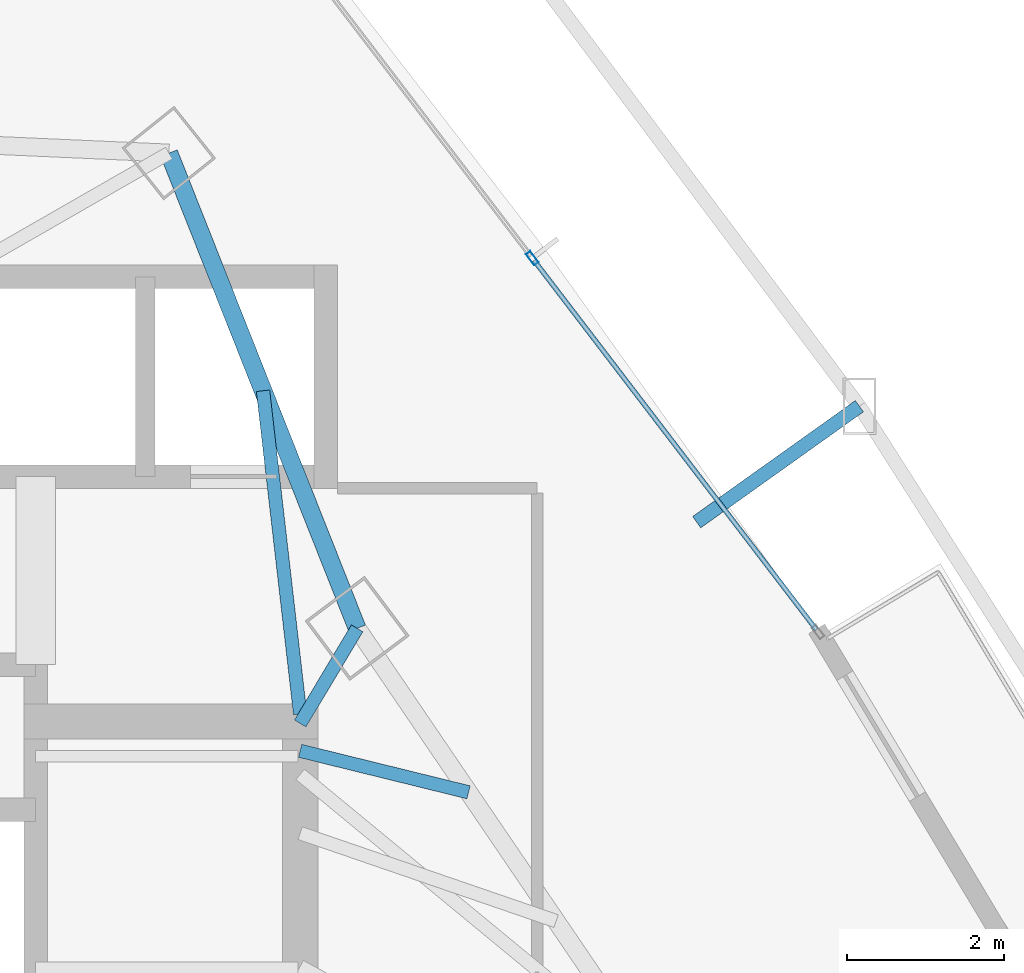
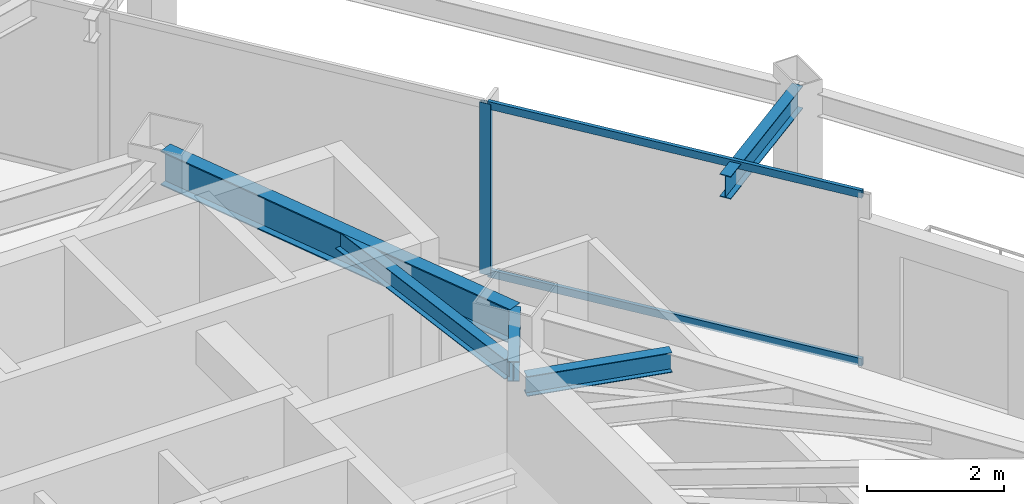
# One storey, part 24 of 33: 5 beams, 3 members, 1 element without a shape of its own.
"""IFC4 building model written with IfcOpenShell, lengths in metres."""

from ifc_helpers import new_model, si_unit, direction, frame, origin, origin_2d, place, context, subcontext, project, spatial, hollow_rectangle, i_section, extrude, material, layer, layer_set, material_profile, profile_set, type_object, element, aggregate, save


model = new_model("IFC4")

# Units and contexts
model_context = context("Model", 3, precision=1e-05, world=origin(), true_north=direction((0.0, 1.0)))
body_context = subcontext(model_context, "Body", "Model", "MODEL_VIEW")
ifc_project = project(units=[si_unit("LENGTHUNIT", "METRE"), si_unit("AREAUNIT", "SQUARE_METRE"), si_unit("VOLUMEUNIT", "CUBIC_METRE"), si_unit("PLANEANGLEUNIT", "RADIAN"), si_unit("MASSUNIT", "GRAM", prefix="KILO")], contexts=[model_context])

# Site, building, storey
site_placement = place(None, origin())
site = spatial("IfcSite", under=ifc_project, at=site_placement, CompositionType="ELEMENT")
building_placement = place(site_placement, origin())
building = spatial("IfcBuilding", under=site, at=building_placement, Name="Orvanel Arch Residences", CompositionType="ELEMENT")
storey_placement = place(building_placement, frame((0.0, 0.0, 90.64990234375)))
storey = spatial("IfcBuildingStorey", under=building, at=storey_placement, Name="L25", CompositionType="ELEMENT", Elevation=90.64990234375)

# Beams
ifc_material_1 = material(Name="Structural steel AS/NZS 3679.1 Grade 300 (300 MPa)", Category="steel")
ifc_material_profile_1 = material_profile(ifc_material_1, i_section(OverallWidth=0.1708984375, OverallDepth=0.35595703125, WebThickness=0.00732421875, FlangeThickness=0.011474609375, at=origin_2d()), Name="360UB50.7")
ifc_profile_set_1 = profile_set([ifc_material_profile_1], Name="Structural steel AS/NZS 3679.1 Grade 300 (300 MPa)")
beam_type_1 = type_object("IfcBeamType", Name="BJ-360UB", PredefinedType="JOIST", material=ifc_profile_set_1)
beam_1_placement = place(storey_placement, frame((39.625, 33.89990234375, 2.882080078125), z_axis=(0.514064138778, 0.857751748015, 0.0), x_axis=(-0.857751748015, 0.514064138778, 0.0)))
element("IfcBeam", 1, at=beam_1_placement, inside=storey, type_object=beam_type_1, Name="L25 NNE Wing Floor Joist", PredefinedType="JOIST", context=body_context, shape_type="SweptSolid", body=[
    extrude(i_section(OverallWidth=0.1708984375, OverallDepth=0.35595703125, WebThickness=0.00732421875, FlangeThickness=0.011474609375, at=origin_2d()), origin(), (0.0, 0.0, 1.0), 1.414306640625),
])
beam_2_placement = place(storey_placement, frame((39.625, 34.02001953125, 2.882080078125), z_axis=(-0.114186670431, 0.993459311847, 0.0), x_axis=(-0.993459311847, -0.114186670431, 0.0)))
element("IfcBeam", 2, at=beam_2_placement, inside=storey, type_object=beam_type_1, Name="L25 NNE2 Wing Floor Joist", PredefinedType="JOIST", context=body_context, shape_type="SweptSolid", body=[
    extrude(i_section(OverallWidth=0.1708984375, OverallDepth=0.35595703125, WebThickness=0.00732421875, FlangeThickness=0.011474609375, at=origin_2d()), origin(), (0.0, 0.0, 1.0), 4.152099609375),
])
beam_3_placement = place(storey_placement, frame((39.625, 33.550048828125, 2.882080078125), z_axis=(0.971005818547, -0.239055851942, 0.0), x_axis=(0.239055851942, 0.971005818547, 0.0)))
element("IfcBeam", 3, at=beam_3_placement, inside=storey, type_object=beam_type_1, Name="L25 JADD4 Wing Floor Joist", PredefinedType="JOIST", context=body_context, shape_type="SweptSolid", body=[
    extrude(i_section(OverallWidth=0.1708984375, OverallDepth=0.35595703125, WebThickness=0.00732421875, FlangeThickness=0.011474609375, at=origin_2d()), origin(), (0.0, 0.0, 1.0), 2.213134765625),
])

# Curtain wall, member
ifc_material_2 = material(Name="Bronze-anodised aluminium AA6063-T6", Category="aluminium")
ifc_layer = layer(ifc_material_2, 0.179931640625)
ifc_layer_set = layer_set([ifc_layer], Name="Bronze-anodised aluminium AA6063-T6")
curtain_wall_type = type_object("IfcCurtainWallType", Name="CW2-LOW-SYS", PredefinedType="NOTDEFINED", material=ifc_layer_set)
curtain_wall_placement = place(storey_placement, origin())
curtain_wall = element("IfcCurtainWall", 4, at=curtain_wall_placement, inside=storey, type_object=curtain_wall_type, Name="L25 CW2-LOW-SYS Unitised Curtain Wall", PredefinedType="NOTDEFINED")
ifc_material_profile_2 = material_profile(ifc_material_2, hollow_rectangle(XDim=0.070068359375, YDim=0.179931640625, WallThickness=0.00439453125, at=origin_2d()), Name="ALU180x70x4.5")
ifc_profile_set_2 = profile_set([ifc_material_profile_2], Name="Bronze-anodised aluminium AA6063-T6")
member_type_1 = type_object("IfcMemberType", Name="MUL-180x70", PredefinedType="MULLION", material=ifc_profile_set_2)
member_1_placement = place(storey_placement, frame((42.587890625, 39.836669921875, 0.0), z_axis=(0.0, 0.0, 1.0), x_axis=(-0.794440878404, -0.607341494318, 0.0)))
member_1 = element("IfcMember", 5, at=member_1_placement, type_object=member_type_1, Name="CW-S2 mullion 2", PredefinedType="MULLION", context=body_context, shape_type="SweptSolid", body=[
    extrude(hollow_rectangle(XDim=0.070068359375, YDim=0.179931640625, WallThickness=0.00439453125, at=origin_2d()), origin(), (0.0, 0.0, 1.0), 3.06005859375),
])

# Beams
ifc_material_profile_3 = material_profile(ifc_material_1, i_section(OverallWidth=0.177978515625, OverallDepth=0.406005859375, WebThickness=0.0078125, FlangeThickness=0.0126953125, at=origin_2d()), Name="410UB59.7")
ifc_profile_set_3 = profile_set([ifc_material_profile_3], Name="Structural steel AS/NZS 3679.1 Grade 300 (300 MPa)")
beam_type_2 = type_object("IfcBeamType", Name="OB-410UB-EXT", PredefinedType="SPANDREL", material=ifc_profile_set_3)
beam_4_placement = place(storey_placement, frame((44.68505859375, 36.468017578125, 2.857177734375), z_axis=(0.814257238706, 0.580504219809, 0.0), x_axis=(-0.580504219809, 0.814257238706, 0.0)))
element("IfcBeam", 6, at=beam_4_placement, inside=storey, type_object=beam_type_2, Name="L25 Outer Frame Radial Tie Beam 11", PredefinedType="SPANDREL", context=body_context, shape_type="SweptSolid", body=[
    extrude(i_section(OverallWidth=0.177978515625, OverallDepth=0.406005859375, WebThickness=0.0078125, FlangeThickness=0.0126953125, at=origin_2d()), origin(), (0.0, 0.0, 1.0), 2.549560546875),
])
ifc_material_profile_4 = material_profile(ifc_material_1, i_section(OverallWidth=0.22900390625, OverallDepth=0.612060546875, WebThickness=0.011962890625, FlangeThickness=0.01953125, at=origin_2d()), Name="610UB125")
ifc_profile_set_4 = profile_set([ifc_material_profile_4], Name="Structural steel AS/NZS 3679.1 Grade 300 (300 MPa)")
beam_type_3 = type_object("IfcBeamType", Name="SP-610UB", PredefinedType="SPANDREL", material=ifc_profile_set_4)
beam_5_placement = place(storey_placement, frame((40.35205078125, 35.113037109375, 2.754150390625), z_axis=(-0.368233143579, 0.929733484376, 0.0), x_axis=(-0.929733484376, -0.368233143579, 0.0)))
element("IfcBeam", 7, at=beam_5_placement, inside=storey, type_object=beam_type_3, Name="L25 Perimeter Spandrel Beam 15", PredefinedType="SPANDREL", context=body_context, shape_type="SweptSolid", body=[
    extrude(i_section(OverallWidth=0.22900390625, OverallDepth=0.612060546875, WebThickness=0.011962890625, FlangeThickness=0.01953125, at=origin_2d()), origin(), (0.0, 0.0, 1.0), 6.523193359375),
])

# Member
ifc_material_profile_5 = material_profile(ifc_material_2, hollow_rectangle(XDim=0.06005859375, YDim=0.135009765625, WallThickness=0.00390625, at=origin_2d()), Name="ALU135x60x4")
ifc_profile_set_5 = profile_set([ifc_material_profile_5], Name="Bronze-anodised aluminium AA6063-T6")
member_type_2 = type_object("IfcMemberType", Name="TRN-135x60", PredefinedType="USERDEFINED", material=ifc_profile_set_5)
member_2_placement = place(storey_placement, frame((46.21240234375, 35.095703125, 0.030029296875), z_axis=(-0.607329428327, 0.794450102579, 0.0), x_axis=(-0.794450102579, -0.607329428327, 0.0)))
member_2 = element("IfcMember", 8, at=member_2_placement, type_object=member_type_2, Name="CW-S2 transom 1.1", ObjectType="TRANSOM", PredefinedType="USERDEFINED", context=body_context, shape_type="SweptSolid", body=[
    extrude(hollow_rectangle(XDim=0.06005859375, YDim=0.135009765625, WallThickness=0.00390625, at=origin_2d()), origin(), (0.0, 0.0, 1.0), 5.9326171875),
])

member_3_placement = place(storey_placement, frame((46.21240234375, 35.095703125, 3.030029296875), z_axis=(-0.607329428327, 0.794450102579, 0.0), x_axis=(-0.794450102579, -0.607329428327, 0.0)))
member_3 = element("IfcMember", 9, at=member_3_placement, type_object=member_type_2, Name="CW-S2 transom 1.2", ObjectType="TRANSOM", PredefinedType="USERDEFINED", context=body_context, shape_type="SweptSolid", body=[
    extrude(hollow_rectangle(XDim=0.06005859375, YDim=0.135009765625, WallThickness=0.00390625, at=origin_2d()), origin(), (0.0, 0.0, 1.0), 5.9326171875),
])

aggregate(curtain_wall, [member_1, member_2, member_3])

save(model, "model.ifc")
